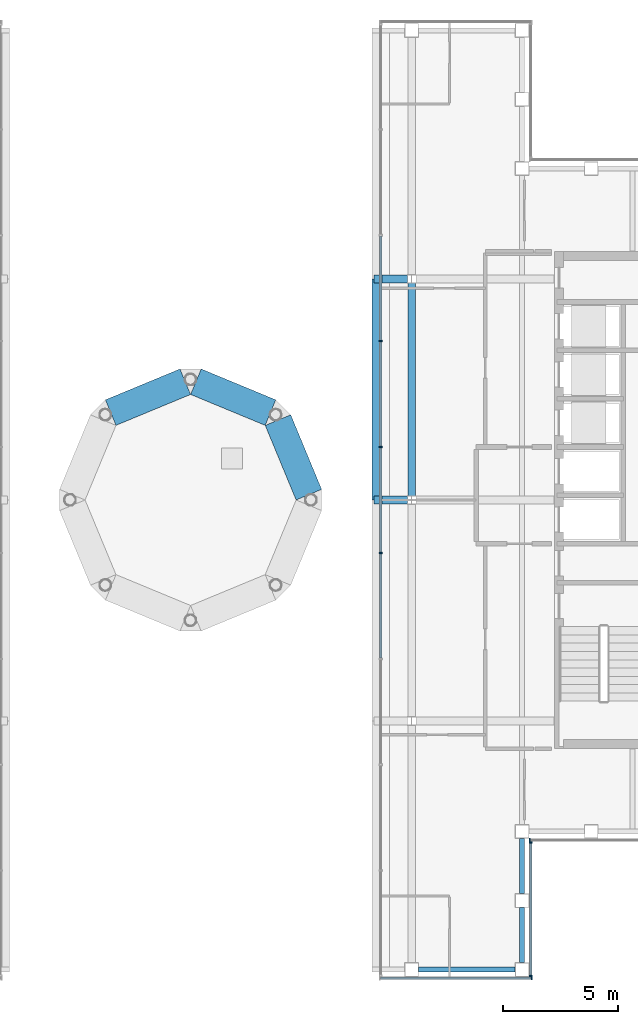
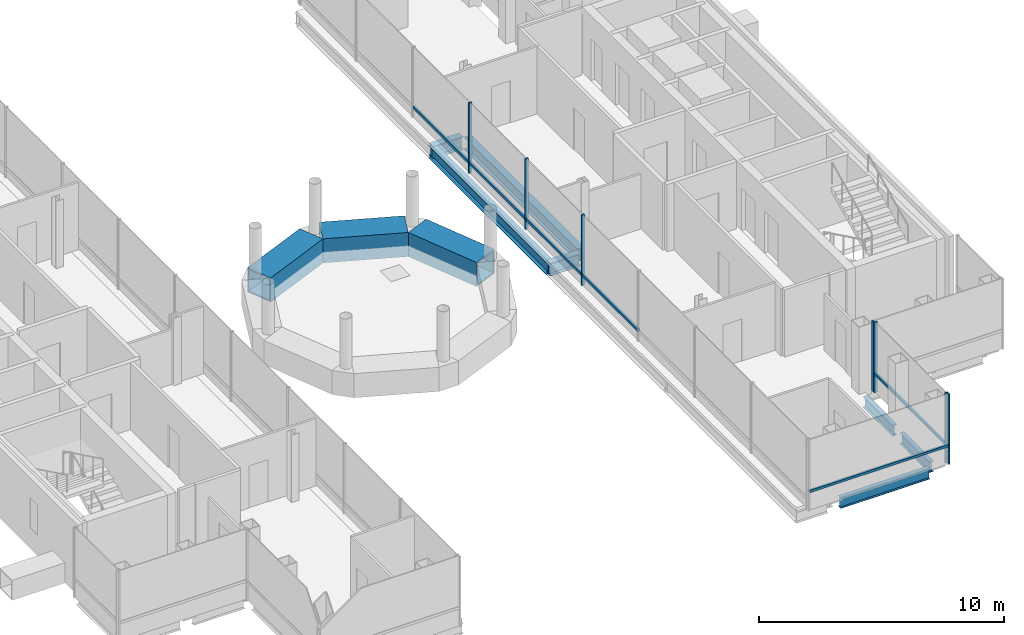
# One storey, part 6 of 16: 13 members, 10 beams, 4 elements without a shape of their own.
"""IFC4 building model written with IfcOpenShell, lengths in metres."""

from ifc_helpers import new_model, si_unit, direction, frame, origin, origin_2d, place, context, subcontext, project, spatial, rectangle, hollow_rectangle, i_section, extrude, material, material_profile, profile_set, type_object, element, aggregate, save


model = new_model("IFC4")

# Units and contexts
model_context = context("Model", 3, precision=1e-05, world=origin(), true_north=direction((0.0, 1.0)))
body_context = subcontext(model_context, "Body", "Model", "MODEL_VIEW")
ifc_project = project(units=[si_unit("LENGTHUNIT", "METRE"), si_unit("AREAUNIT", "SQUARE_METRE"), si_unit("VOLUMEUNIT", "CUBIC_METRE"), si_unit("PLANEANGLEUNIT", "RADIAN"), si_unit("MASSUNIT", "GRAM", prefix="KILO")], contexts=[model_context])

# Site, building, storey
site_placement = place(None, origin())
site = spatial("IfcSite", under=ifc_project, at=site_placement, CompositionType="ELEMENT")
building_placement = place(site_placement, origin())
building = spatial("IfcBuilding", under=site, at=building_placement, Name="Cobrizo Arcos Hotel Tower", CompositionType="ELEMENT")
storey_placement = place(building_placement, frame((0.0, 0.0, 272.5)))
storey = spatial("IfcBuildingStorey", under=building, at=storey_placement, Name="L72", CompositionType="ELEMENT", Elevation=272.5)

# Beams
ifc_material_1 = material(Name="Steel ASTM A572 Grade 50", Category="steel")
ifc_material_profile_1 = material_profile(ifc_material_1, hollow_rectangle(XDim=1.199951171875, YDim=1.199951171875, WallThickness=0.070068359375, at=origin_2d()), Name="BOX 1200X1200X70")
ifc_profile_set_1 = profile_set([ifc_material_profile_1], Name="Steel ASTM A572 Grade 50")
beam_type_1 = type_object("IfcBeamType", Name="BOX 1200X1200X70 drum ring beam", PredefinedType="BEAM", material=ifc_profile_set_1)
for number, where, z_axis, x_axis, name in (
    (1, (5.137451171875, 0.2294921875, 0.39990234375), (-0.382642737497, 0.923896387827, 0.0), (-0.923896387827, -0.382642737497, 0.0), "Drum ring beam RB1, no. 0"),
    (2, (3.470458984375, 3.795166015625, 0.39990234375), (-0.923896387827, 0.382642737497, 0.0), (-0.382642737497, -0.923896387827, 0.0), "Drum ring beam RB2, no. 1"),
    (3, (-0.2294921875, 5.137451171875, 0.39990234375), (-0.923896387827, -0.382642737497, 0.0), (0.382642737497, -0.923896387827, 0.0), "Drum ring beam RB3, no. 2"),
):
    element("IfcBeam", number, at=place(storey_placement, frame(where, z_axis=z_axis, x_axis=x_axis)), inside=storey, type_object=beam_type_1, Name=name, PredefinedType="BEAM", context=body_context, shape_type="SweptSolid", body=[
        extrude(hollow_rectangle(XDim=1.199951171875, YDim=1.199951171875, WallThickness=0.070068359375, at=origin_2d()), origin(), (0.0, 0.0, 1.0), 3.5078125),
    ])

# Curtain wall, member
ifc_material_2 = material(Name="Aluminium 6063-T6 anodised bronze", Category="aluminium")
curtain_wall_type_1 = type_object("IfcCurtainWallType", Name="CW-A guest facade", PredefinedType="NOTDEFINED", material=ifc_material_2)
curtain_wall_1_placement = place(storey_placement, origin())
curtain_wall_1 = element("IfcCurtainWall", 4, at=curtain_wall_1_placement, inside=storey, type_object=curtain_wall_type_1, Name="CW-A L72 S face", PredefinedType="NOTDEFINED")
ifc_material_profile_2 = material_profile(ifc_material_2, rectangle(XDim=0.14990234375, YDim=0.06005859375, at=origin_2d()), Name="CW-A mullion 150x60")
ifc_profile_set_2 = profile_set([ifc_material_profile_2], Name="Aluminium 6063-T6 anodised bronze")
member_type_1 = type_object("IfcMemberType", Name="CW-A mullion 150x60", PredefinedType="MULLION", material=ifc_profile_set_2)
member_1_placement = place(storey_placement, frame((14.820068359375, -20.77490234375, 0.0), z_axis=(0.0, 0.0, 1.0), x_axis=(0.0, -1.0, 0.0)))
member_1 = element("IfcMember", 5, at=member_1_placement, type_object=member_type_1, Name="CW-A mullion 2", PredefinedType="MULLION", context=body_context, shape_type="SweptSolid", body=[
    extrude(rectangle(XDim=0.14990234375, YDim=0.06005859375, at=origin_2d()), origin(), (0.0, 0.0, 1.0), 3.5),
])

# Curtain wall, members
curtain_wall_2_placement = place(storey_placement, origin())
curtain_wall_2 = element("IfcCurtainWall", 6, at=curtain_wall_2_placement, inside=storey, type_object=curtain_wall_type_1, Name="CW-A L72 E face", PredefinedType="NOTDEFINED")
member_2_placement = place(storey_placement, frame((14.77490234375, -20.669921875, 0.0), z_axis=(0.0, 0.0, 1.0), x_axis=(1.0, 0.0, 0.0)))
member_2 = element("IfcMember", 7, at=member_2_placement, type_object=member_type_1, Name="CW-A mullion 1", PredefinedType="MULLION", context=body_context, shape_type="SweptSolid", body=[
    extrude(rectangle(XDim=0.14990234375, YDim=0.06005859375, at=origin_2d()), origin(), (0.0, 0.0, 1.0), 3.5),
])
member_3_placement = place(storey_placement, frame((14.77490234375, -14.8798828125, 0.0), z_axis=(0.0, 0.0, 1.0), x_axis=(1.0, 0.0, 0.0)))
member_3 = element("IfcMember", 8, at=member_3_placement, type_object=member_type_1, Name="CW-A mullion 2", PredefinedType="MULLION", context=body_context, shape_type="SweptSolid", body=[
    extrude(rectangle(XDim=0.14990234375, YDim=0.06005859375, at=origin_2d()), origin(), (0.0, 0.0, 1.0), 3.5),
])

# Curtain wall, member
curtain_wall_3_placement = place(storey_placement, origin())
curtain_wall_3 = element("IfcCurtainWall", 9, at=curtain_wall_3_placement, inside=storey, type_object=curtain_wall_type_1, Name="CW-A L72 S face", PredefinedType="NOTDEFINED")
member_4_placement = place(storey_placement, frame((14.72998046875, -14.77490234375, 0.0), z_axis=(0.0, 0.0, 1.0), x_axis=(0.0, -1.0, 0.0)))
member_4 = element("IfcMember", 10, at=member_4_placement, type_object=member_type_1, Name="CW-A mullion 1", PredefinedType="MULLION", context=body_context, shape_type="SweptSolid", body=[
    extrude(rectangle(XDim=0.14990234375, YDim=0.06005859375, at=origin_2d()), origin(), (0.0, 0.0, 1.0), 3.5),
])
aggregate(curtain_wall_3, [member_4])

# Member
ifc_material_profile_3 = material_profile(ifc_material_2, rectangle(XDim=0.10009765625, YDim=0.1201171875, at=origin_2d()), Name="CW-A transom 120x100")
ifc_profile_set_3 = profile_set([ifc_material_profile_3], Name="Aluminium 6063-T6 anodised bronze")
member_type_2 = type_object("IfcMemberType", Name="CW-A transom 120x100", PredefinedType="USERDEFINED", material=ifc_profile_set_3)
member_5_placement = place(storey_placement, frame((8.244873046875, -20.77490234375, 0.929931640625), z_axis=(1.0, 0.0, 0.0), x_axis=(0.0, 1.0, 0.0)))
member_5 = element("IfcMember", 11, at=member_5_placement, type_object=member_type_2, Name="CW-A transom 2266", ObjectType="TRANSOM", PredefinedType="USERDEFINED", context=body_context, shape_type="SweptSolid", body=[
    extrude(rectangle(XDim=0.10009765625, YDim=0.1201171875, at=origin_2d()), origin(), (0.0, 0.0, 1.0), 6.545166015625),
])

aggregate(curtain_wall_1, [member_1, member_5])

member_6_placement = place(storey_placement, frame((14.77490234375, -20.639892578125, 0.929931640625), z_axis=(0.0, 1.0, 0.0), x_axis=(-1.0, 0.0, 0.0)))
member_6 = element("IfcMember", 12, at=member_6_placement, type_object=member_type_2, Name="CW-A transom 2267", ObjectType="TRANSOM", PredefinedType="USERDEFINED", context=body_context, shape_type="SweptSolid", body=[
    extrude(rectangle(XDim=0.10009765625, YDim=0.1201171875, at=origin_2d()), origin(), (0.0, 0.0, 1.0), 5.72998046875),
])

aggregate(curtain_wall_2, [member_2, member_3, member_6])

# Curtain wall, members
curtain_wall_type_2 = type_object("IfcCurtainWallType", Name="CW-C arch infill and crown glazing", PredefinedType="NOTDEFINED", material=ifc_material_2)
curtain_wall_4_placement = place(storey_placement, origin())
curtain_wall_4 = element("IfcCurtainWall", 13, at=curtain_wall_4_placement, inside=storey, type_object=curtain_wall_type_2, Name="CW-C L72 W face", PredefinedType="NOTDEFINED")
ifc_material_profile_4 = material_profile(ifc_material_2, rectangle(XDim=0.14990234375, YDim=0.070068359375, at=origin_2d()), Name="CW-C mullion 150x70")
ifc_profile_set_4 = profile_set([ifc_material_profile_4], Name="Aluminium 6063-T6 anodised bronze")
member_type_3 = type_object("IfcMemberType", Name="CW-C mullion 150x70", PredefinedType="MULLION", material=ifc_profile_set_4)
member_7_placement = place(storey_placement, frame((8.260009765625, 6.89990234375, 0.0), z_axis=(0.0, 0.0, 1.0), x_axis=(-1.0, 0.0, 0.0)))
member_7 = element("IfcMember", 14, at=member_7_placement, type_object=member_type_3, Name="CW-C mullion 4", PredefinedType="MULLION", context=body_context, shape_type="SweptSolid", body=[
    extrude(rectangle(XDim=0.14990234375, YDim=0.070068359375, at=origin_2d()), origin(), (0.0, 0.0, 1.0), 3.5),
])
member_8_placement = place(storey_placement, frame((8.260009765625, 2.300048828125, 0.0), z_axis=(0.0, 0.0, 1.0), x_axis=(-1.0, 0.0, 0.0)))
member_8 = element("IfcMember", 15, at=member_8_placement, type_object=member_type_3, Name="CW-C mullion 5", PredefinedType="MULLION", context=body_context, shape_type="SweptSolid", body=[
    extrude(rectangle(XDim=0.14990234375, YDim=0.070068359375, at=origin_2d()), origin(), (0.0, 0.0, 1.0), 3.5),
])
member_9_placement = place(storey_placement, frame((8.260009765625, -2.300048828125, 0.0), z_axis=(0.0, 0.0, 1.0), x_axis=(-1.0, 0.0, 0.0)))
member_9 = element("IfcMember", 16, at=member_9_placement, type_object=member_type_3, Name="CW-C mullion 6", PredefinedType="MULLION", context=body_context, shape_type="SweptSolid", body=[
    extrude(rectangle(XDim=0.14990234375, YDim=0.070068359375, at=origin_2d()), origin(), (0.0, 0.0, 1.0), 3.5),
])
ifc_material_profile_5 = material_profile(ifc_material_2, rectangle(XDim=0.10009765625, YDim=0.139892578125, at=origin_2d()), Name="CW-C transom 140x100")
ifc_profile_set_5 = profile_set([ifc_material_profile_5], Name="Aluminium 6063-T6 anodised bronze")
member_type_4 = type_object("IfcMemberType", Name="CW-C transom 140x100", PredefinedType="USERDEFINED", material=ifc_profile_set_5)
member_10_placement = place(storey_placement, frame((8.260009765625, 11.465087890625, 0.5), z_axis=(0.0, -1.0, 0.0), x_axis=(1.0, 0.0, 0.0)))
member_10 = element("IfcMember", 17, at=member_10_placement, type_object=member_type_4, Name="CW-C transom 2259", ObjectType="TRANSOM", PredefinedType="USERDEFINED", context=body_context, shape_type="SweptSolid", body=[
    extrude(rectangle(XDim=0.10009765625, YDim=0.139892578125, at=origin_2d()), origin(), (0.0, 0.0, 1.0), 4.530029296875),
])
member_11_placement = place(storey_placement, frame((8.260009765625, 6.864990234375, 0.5), z_axis=(0.0, -1.0, 0.0), x_axis=(1.0, 0.0, 0.0)))
member_11 = element("IfcMember", 18, at=member_11_placement, type_object=member_type_4, Name="CW-C transom 2260", ObjectType="TRANSOM", PredefinedType="USERDEFINED", context=body_context, shape_type="SweptSolid", body=[
    extrude(rectangle(XDim=0.10009765625, YDim=0.139892578125, at=origin_2d()), origin(), (0.0, 0.0, 1.0), 4.530029296875),
])
member_12_placement = place(storey_placement, frame((8.260009765625, 2.264892578125, 0.5), z_axis=(0.0, -1.0, 0.0), x_axis=(1.0, 0.0, 0.0)))
member_12 = element("IfcMember", 19, at=member_12_placement, type_object=member_type_4, Name="CW-C transom 2261", ObjectType="TRANSOM", PredefinedType="USERDEFINED", context=body_context, shape_type="SweptSolid", body=[
    extrude(rectangle(XDim=0.10009765625, YDim=0.139892578125, at=origin_2d()), origin(), (0.0, 0.0, 1.0), 4.52978515625),
])
member_13_placement = place(storey_placement, frame((8.260009765625, -2.3349609375, 0.5), z_axis=(0.0, -1.0, 0.0), x_axis=(1.0, 0.0, 0.0)))
member_13 = element("IfcMember", 20, at=member_13_placement, type_object=member_type_4, Name="CW-C transom 2262", ObjectType="TRANSOM", PredefinedType="USERDEFINED", context=body_context, shape_type="SweptSolid", body=[
    extrude(rectangle(XDim=0.10009765625, YDim=0.139892578125, at=origin_2d()), origin(), (0.0, 0.0, 1.0), 4.530029296875),
])
aggregate(curtain_wall_4, [member_7, member_8, member_9, member_10, member_11, member_12, member_13])

# Beams
ifc_material_3 = material(Name="Steel ASTM A992 Grade 50", Category="steel")
ifc_material_profile_6 = material_profile(ifc_material_3, i_section(OverallWidth=0.209228515625, OverallDepth=0.533447265625, WebThickness=0.01025390625, FlangeThickness=0.015625, at=origin_2d()), Name="W21X62")
ifc_profile_set_6 = profile_set([ifc_material_profile_6], Name="Steel ASTM A992 Grade 50")
beam_type_2 = type_object("IfcBeamType", Name="W21X62 spandrel", PredefinedType="SPANDREL", material=ifc_profile_set_6)
for number, where, z_axis, x_axis, name in (
    (21, (14.39990234375, -14.699951171875, -0.416748046875), (0.0, -1.0, 0.0), (1.0, 0.0, 0.0), "Spandrel beam W21X62, L72, no. 025"),
    (22, (14.39990234375, -17.699951171875, -0.416748046875), (0.0, -1.0, 0.0), (1.0, 0.0, 0.0), "Spandrel beam W21X62, L72, no. 026"),
):
    element("IfcBeam", number, at=place(storey_placement, frame(where, z_axis=z_axis, x_axis=x_axis)), inside=storey, type_object=beam_type_2, Name=name, PredefinedType="SPANDREL", context=body_context, shape_type="SweptSolid", body=[
        extrude(i_section(OverallWidth=0.209228515625, OverallDepth=0.533447265625, WebThickness=0.01025390625, FlangeThickness=0.015625, at=origin_2d()), origin(), (0.0, 0.0, 1.0), 2.400146484375),
    ])
beam_1_placement = place(storey_placement, frame((14.10009765625, -20.39990234375, -0.416748046875), z_axis=(-1.0, 0.0, 0.0), x_axis=(0.0, -1.0, 0.0)))
element("IfcBeam", 23, at=beam_1_placement, inside=storey, type_object=beam_type_2, Name="Spandrel beam W21X62, L72, no. 027", PredefinedType="SPANDREL", context=body_context, shape_type="SweptSolid", body=[
    extrude(i_section(OverallWidth=0.209228515625, OverallDepth=0.533447265625, WebThickness=0.01025390625, FlangeThickness=0.015625, at=origin_2d()), origin(), (0.0, 0.0, 1.0), 4.2001953125),
])
ifc_material_profile_7 = material_profile(ifc_material_3, i_section(OverallWidth=0.32763671875, OverallDepth=0.622314453125, WebThickness=0.015380859375, FlangeThickness=0.0244140625, at=origin_2d()), Name="W24X131")
ifc_profile_set_7 = profile_set([ifc_material_profile_7], Name="Steel ASTM A992 Grade 50")
beam_type_3 = type_object("IfcBeamType", Name="W24X131 edge beam", PredefinedType="BEAM", material=ifc_profile_set_7)
beam_2_placement = place(storey_placement, frame((8.035888671875, 0.0, -0.461181640625), z_axis=(0.0, 1.0, 0.0), x_axis=(-1.0, 0.0, 0.0)))
element("IfcBeam", 24, at=beam_2_placement, inside=storey, type_object=beam_type_3, Name="Edge beam EB1, L72, no. 007", PredefinedType="BEAM", context=body_context, shape_type="SweptSolid", body=[
    extrude(i_section(OverallWidth=0.32763671875, OverallDepth=0.622314453125, WebThickness=0.015380859375, FlangeThickness=0.0244140625, at=origin_2d()), origin(), (0.0, 0.0, 1.0), 9.60009765625),
])
ifc_material_profile_8 = material_profile(ifc_material_3, i_section(OverallWidth=0.32763671875, OverallDepth=0.622314453125, WebThickness=0.015380859375, FlangeThickness=0.0244140625, at=origin_2d()), Name="W24X131")
ifc_profile_set_8 = profile_set([ifc_material_profile_8], Name="Steel ASTM A992 Grade 50")
beam_type_4 = type_object("IfcBeamType", Name="W24X131 girder", PredefinedType="BEAM", material=ifc_profile_set_8)
for number, where, z_axis, x_axis, name in (
    (25, (7.962158203125, 0.0, -0.461181640625), (1.0, 0.0, 0.0), (0.0, 1.0, 0.0), "Floor girder G1, L72, no. 007"),
    (26, (7.962158203125, 9.60009765625, -0.461181640625), (1.0, 0.0, 0.0), (0.0, 1.0, 0.0), "Floor girder G1, L72, no. 011"),
):
    element("IfcBeam", number, at=place(storey_placement, frame(where, z_axis=z_axis, x_axis=x_axis)), inside=storey, type_object=beam_type_4, Name=name, PredefinedType="BEAM", context=body_context, shape_type="SweptSolid", body=[
        extrude(i_section(OverallWidth=0.32763671875, OverallDepth=0.622314453125, WebThickness=0.015380859375, FlangeThickness=0.0244140625, at=origin_2d()), origin(), (0.0, 0.0, 1.0), 1.45361328125),
    ])
beam_3_placement = place(storey_placement, frame((9.60009765625, 0.18408203125, -0.461181640625), z_axis=(0.0, 1.0, 0.0), x_axis=(-1.0, 0.0, 0.0)))
element("IfcBeam", 27, at=beam_3_placement, inside=storey, type_object=beam_type_4, Name="Floor girder G1, L72, no. 019", PredefinedType="BEAM", context=body_context, shape_type="SweptSolid", body=[
    extrude(i_section(OverallWidth=0.32763671875, OverallDepth=0.622314453125, WebThickness=0.015380859375, FlangeThickness=0.0244140625, at=origin_2d()), origin(), (0.0, 0.0, 1.0), 9.231689453125),
])

save(model, "model.ifc")
